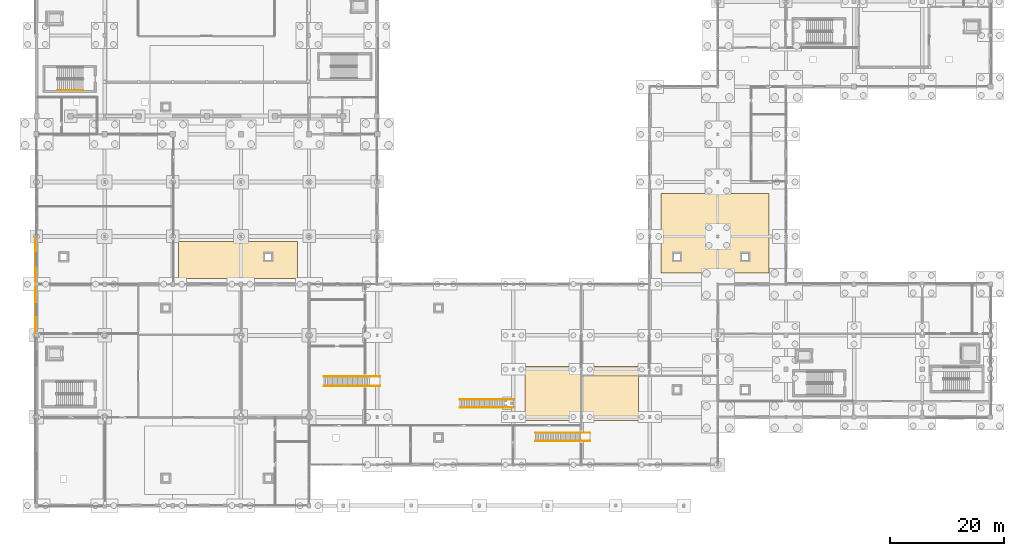
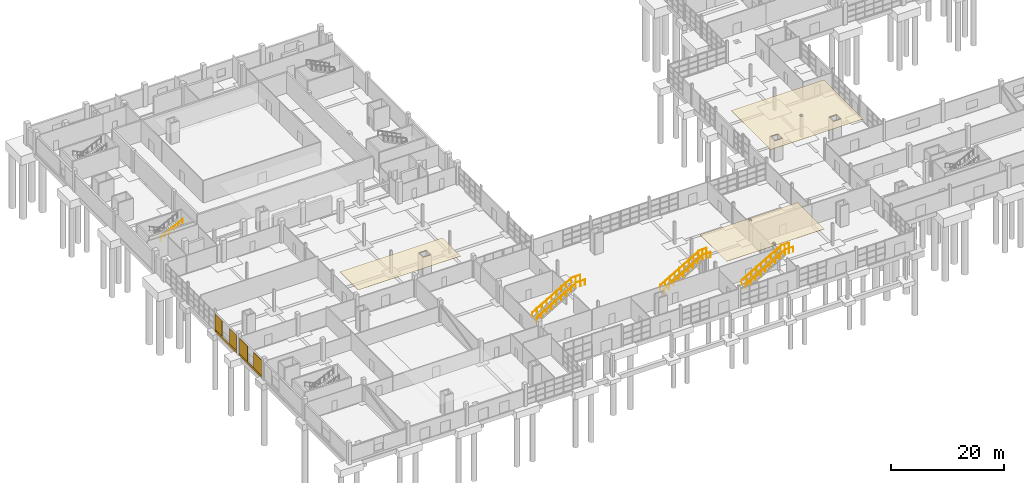
# One storey, part 70 of 82: 13 railings, 9 coverings.
"""IFC4 building model written with IfcOpenShell, lengths in metres."""

from ifc_helpers import new_model, si_unit, direction, frame, origin, origin_2d, place, context, subcontext, project, spatial, polyline, rectangle, circle, outline, extrude, material, layer, layer_set, type_object, element, save


model = new_model("IFC4")

# Units and contexts
model_context = context("Model", 3, precision=1e-05, world=origin(), true_north=direction((0.0, 1.0)))
body_context = subcontext(model_context, "Body", "Model", "MODEL_VIEW")
ifc_project = project(units=[si_unit("LENGTHUNIT", "METRE"), si_unit("AREAUNIT", "SQUARE_METRE"), si_unit("VOLUMEUNIT", "CUBIC_METRE"), si_unit("PLANEANGLEUNIT", "RADIAN"), si_unit("MASSUNIT", "GRAM", prefix="KILO")], contexts=[model_context])

# Site, building, storey
site_placement = place(None, origin())
site = spatial("IfcSite", under=ifc_project, at=site_placement, CompositionType="ELEMENT")
building_placement = place(site_placement, origin())
building = spatial("IfcBuilding", under=site, at=building_placement, Name="Kelmvaro Bay Concert Hall", CompositionType="ELEMENT")
storey_placement = place(building_placement, origin())
storey = spatial("IfcBuildingStorey", under=building, at=storey_placement, Name="L00", CompositionType="ELEMENT", Elevation=0.0)

# Coverings
ifc_material_1 = material(Name="Honed Florida Limestone Travertine", Category="masonry")
ifc_layer_1 = layer(ifc_material_1, 0.054931640625)
ifc_layer_set_1 = layer_set([ifc_layer_1], Name="Honed Florida Limestone Travertine")
covering_type_1 = type_object("IfcCoveringType", Name="Honed Florida Travertine Rainscreen Cladding 55", PredefinedType="CLADDING", material=ifc_layer_set_1)
covering_1_placement = place(storey_placement, frame((-0.175537109375, 34.47509765625, 0.0400390625), z_axis=(0.0, 0.0, 1.0), x_axis=(0.0, 1.0, 0.0)))
element("IfcCovering", 1, at=covering_1_placement, inside=storey, type_object=covering_type_1, Name="L00 Travertine Sill Band 0526", PredefinedType="CLADDING", context=body_context, shape_type="SweptSolid", body=[
    extrude(rectangle(XDim=8.1298828125, YDim=0.054931640625, at=origin_2d()), origin(), (0.0, 0.0, 1.0), 0.4599609375),
])
for number, where, z_axis, x_axis, name in (
    (2, (-0.175537109375, 31.927490234375, 0.52001953125), (0.0, 0.0, 1.0), (0.0, 1.0, 0.0), "L00 Travertine Pier Panel 0527"),
    (3, (-0.175537109375, 37.0224609375, 0.52001953125), (0.0, 0.0, 1.0), (0.0, 1.0, 0.0), "L00 Travertine Pier Panel 0528"),
):
    element("IfcCovering", number, at=place(storey_placement, frame(where, z_axis=z_axis, x_axis=x_axis)), inside=storey, type_object=covering_type_1, Name=name, PredefinedType="CLADDING", context=body_context, shape_type="SweptSolid", body=[
        extrude(rectangle(XDim=2.9951171875, YDim=0.054931640625, at=origin_2d()), origin(), (0.0, 0.0, 1.0), 3.339111328125),
    ])
covering_2_placement = place(storey_placement, frame((-0.175537109375, 43.306884765625, 0.0400390625), z_axis=(0.0, 0.0, 1.0), x_axis=(0.0, 1.0, 0.0)))
element("IfcCovering", 4, at=covering_2_placement, inside=storey, type_object=covering_type_1, Name="L00 Travertine Sill Band 0965", PredefinedType="CLADDING", context=body_context, shape_type="SweptSolid", body=[
    extrude(rectangle(XDim=7.694091796875, YDim=0.054931640625, at=origin_2d()), origin(), (0.0, 0.0, 1.0), 0.4599609375),
])
for number, where, z_axis, x_axis, name in (
    (5, (-0.175537109375, 40.743408203125, 0.52001953125), (0.0, 0.0, 1.0), (0.0, 1.0, 0.0), "L00 Travertine Pier Panel 0966"),
    (6, (-0.175537109375, 45.8701171875, 0.52001953125), (0.0, 0.0, 1.0), (0.0, 1.0, 0.0), "L00 Travertine Pier Panel 0967"),
):
    element("IfcCovering", number, at=place(storey_placement, frame(where, z_axis=z_axis, x_axis=x_axis)), inside=storey, type_object=covering_type_1, Name=name, PredefinedType="CLADDING", context=body_context, shape_type="SweptSolid", body=[
        extrude(rectangle(XDim=2.527099609375, YDim=0.054931640625, at=origin_2d()), origin(), (0.0, 0.0, 1.0), 3.337890625),
    ])
ifc_material_2 = material(Name="Micro-Perforated Acoustic Gypsum Board")
ifc_layer_2 = layer(ifc_material_2, 0.050048828125)
ifc_layer_set_2 = layer_set([ifc_layer_2], Name="Micro-Perforated Acoustic Gypsum Board")
covering_type_2 = type_object("IfcCoveringType", Name="Perforated Gypsum Foyer Acoustic Ceiling 50", PredefinedType="CEILING", material=ifc_layer_set_2)
covering_3_placement = place(storey_placement, frame((0.0, 0.0, 4.5)))
element("IfcCovering", 7, at=covering_3_placement, inside=storey, type_object=covering_type_2, Name="L00 Acoustic Ceiling 05", PredefinedType="CEILING", context=body_context, shape_type="SweptSolid", body=[
    extrude(outline(polyline([(86.0, 24.5), (106.0, 24.5), (106.0, 15.0), (86.0, 15.0), (86.0, 24.5)]), holes=[polyline([(95.741943359375, 15.85107421875), (95.741943359375, 15.34912109375), (96.258056640625, 15.34912109375), (96.258056640625, 15.85107421875), (95.741943359375, 15.85107421875)]), polyline([(96.258056640625, 24.25), (95.741943359375, 24.25), (95.741943359375, 23.75), (96.258056640625, 23.75), (96.258056640625, 24.25)])]), origin(), (0.0, 0.0, 1.0), 0.050048828125),
])
covering_4_placement = place(storey_placement, frame((0.0, 0.0, 4.5)))
element("IfcCovering", 8, at=covering_4_placement, inside=storey, type_object=covering_type_2, Name="L00 Acoustic Ceiling 06", PredefinedType="CEILING", context=body_context, shape_type="SweptSolid", body=[
    extrude(outline(polyline([(25.0, 40.0), (25.0, 46.5), (46.0, 46.5), (46.0, 40.0), (25.0, 40.0)]), holes=[polyline([(41.550048828125, 44.550048828125), (40.050048828125, 44.550048828125), (40.050048828125, 43.050048828125), (41.550048828125, 43.050048828125), (41.550048828125, 44.550048828125)])]), origin(), (0.0, 0.0, 1.0), 0.050048828125),
])
covering_5_placement = place(storey_placement, frame((0.0, 0.0, 4.5)))
element("IfcCovering", 9, at=covering_5_placement, inside=storey, type_object=covering_type_2, Name="L00 Acoustic Ceiling 07", PredefinedType="CEILING", context=body_context, shape_type="SweptSolid", body=[
    extrude(outline(polyline([(129.0, 55.0), (129.0, 41.0), (110.0, 41.0), (110.0, 55.0), (129.0, 55.0)]), holes=[polyline([(119.741943359375, 47.14892578125), (120.258056640625, 47.14892578125), (120.258056640625, 47.65087890625), (119.741943359375, 47.65087890625), (119.741943359375, 47.14892578125)]), polyline([(112.050048828125, 44.550048828125), (112.050048828125, 43.050048828125), (113.550048828125, 43.050048828125), (113.550048828125, 44.550048828125), (112.050048828125, 44.550048828125)]), polyline([(125.550048828125, 44.550048828125), (124.050048828125, 44.550048828125), (124.050048828125, 43.050048828125), (125.550048828125, 43.050048828125), (125.550048828125, 44.550048828125)])]), origin(), (0.0, 0.0, 1.0), 0.050048828125),
])

# Railings
ifc_material_3 = material(Name="Brushed Stainless Steel 316", Category="steel")
railing_type_1 = type_object("IfcRailingType", Name="Stair Stainless Wall Handrail 900", PredefinedType="HANDRAIL", material=ifc_material_3)
railing_1_placement = place(storey_placement, frame((3.696044921875, 73.139892578125, 2.571533203125)))
element("IfcRailing", 10, at=railing_1_placement, inside=storey, type_object=railing_type_1, Name="L00 ST-01 stair handrail 2", PredefinedType="HANDRAIL", context=body_context, shape_type="SweptSolid", body=[
    extrude(circle(Radius=0.02392578125, at=origin_2d()), frame((0.0, 0.0, 0.8759765625), z_axis=(0.897064401264, 0.0, 0.441899830261), x_axis=(0.0, 1.0, 0.0)), (0.0, 0.0, 1.0), 5.04296875),
    extrude(circle(Radius=0.02099609375, at=origin_2d()), origin(), (0.0, 0.0, 1.0), 0.851806640625),
    extrude(circle(Radius=0.02099609375, at=origin_2d()), frame((0.90478515625, 0.0, 0.44580078125)), (0.0, 0.0, 1.0), 0.851806640625),
    extrude(circle(Radius=0.02099609375, at=origin_2d()), frame((1.8095703125, 0.0, 0.891357421875)), (0.0, 0.0, 1.0), 0.851806640625),
    extrude(circle(Radius=0.02099609375, at=origin_2d()), frame((2.71435546875, 0.0, 1.337158203125)), (0.0, 0.0, 1.0), 0.851806640625),
    extrude(circle(Radius=0.02099609375, at=origin_2d()), frame((3.619140625, 0.0, 1.78271484375)), (0.0, 0.0, 1.0), 0.851806640625),
    extrude(circle(Radius=0.02099609375, at=origin_2d()), frame((4.52392578125, 0.0, 2.228515625)), (0.0, 0.0, 1.0), 0.851806640625),
])
for number, where, name in (
    (11, (50.64990234375, 21.06494140625, 0.17138671875), "L00 FS-01 Handrail R"),
    (12, (50.64990234375, 22.735107421875, 0.17138671875), "L00 FS-01 Handrail L"),
):
    element("IfcRailing", number, at=place(storey_placement, frame(where)), inside=storey, type_object=railing_type_1, Name=name, PredefinedType="HANDRAIL", context=body_context, shape_type="SweptSolid", body=[
        extrude(circle(Radius=0.02392578125, at=origin_2d()), frame((0.0, 0.0, 0.8759765625), z_axis=(0.864611074614, 0.0, 0.50244172762), x_axis=(0.0, 1.0, 0.0)), (0.0, 0.0, 1.0), 9.21240234375),
        extrude(circle(Radius=0.02099609375, at=origin_2d()), origin(), (0.0, 0.0, 1.0), 0.851806640625),
        extrude(circle(Radius=0.02099609375, at=origin_2d()), frame((0.99560546875, 0.0, 0.57861328125)), (0.0, 0.0, 1.0), 0.851806640625),
        extrude(circle(Radius=0.02099609375, at=origin_2d()), frame((1.9912109375, 0.0, 1.1572265625)), (0.0, 0.0, 1.0), 0.851806640625),
        extrude(circle(Radius=0.02099609375, at=origin_2d()), frame((2.98681640625, 0.0, 1.73583984375)), (0.0, 0.0, 1.0), 0.851806640625),
        extrude(circle(Radius=0.02099609375, at=origin_2d()), frame((3.982421875, 0.0, 2.314453125)), (0.0, 0.0, 1.0), 0.851806640625),
        extrude(circle(Radius=0.02099609375, at=origin_2d()), frame((4.978271484375, 0.0, 2.892822265625)), (0.0, 0.0, 1.0), 0.851806640625),
        extrude(circle(Radius=0.02099609375, at=origin_2d()), frame((5.973876953125, 0.0, 3.471435546875)), (0.0, 0.0, 1.0), 0.851806640625),
        extrude(circle(Radius=0.02099609375, at=origin_2d()), frame((6.969482421875, 0.0, 4.050048828125)), (0.0, 0.0, 1.0), 0.851806640625),
        extrude(circle(Radius=0.02099609375, at=origin_2d()), frame((7.965087890625, 0.0, 4.628662109375)), (0.0, 0.0, 1.0), 0.851806640625),
    ])
for number, where, name in (
    (13, (87.85009765625, 11.364990234375, 0.17138671875), "L00 FS-03 Handrail R"),
    (14, (87.85009765625, 12.8349609375, 0.17138671875), "L00 FS-03 Handrail L"),
):
    element("IfcRailing", number, at=place(storey_placement, frame(where)), inside=storey, type_object=railing_type_1, Name=name, PredefinedType="HANDRAIL", context=body_context, shape_type="SweptSolid", body=[
        extrude(circle(Radius=0.02392578125, at=origin_2d()), frame((0.0, 0.0, 0.8759765625), z_axis=(0.864604384145, 0.0, 0.502453240528), x_axis=(0.0, 1.0, 0.0)), (0.0, 0.0, 1.0), 9.212158203125),
        extrude(circle(Radius=0.02099609375, at=origin_2d()), origin(), (0.0, 0.0, 1.0), 0.851806640625),
        extrude(circle(Radius=0.02099609375, at=origin_2d()), frame((0.99560546875, 0.0, 0.57861328125)), (0.0, 0.0, 1.0), 0.851806640625),
        extrude(circle(Radius=0.02099609375, at=origin_2d()), frame((1.9912109375, 0.0, 1.1572265625)), (0.0, 0.0, 1.0), 0.851806640625),
        extrude(circle(Radius=0.02099609375, at=origin_2d()), frame((2.98681640625, 0.0, 1.73583984375)), (0.0, 0.0, 1.0), 0.851806640625),
        extrude(circle(Radius=0.02099609375, at=origin_2d()), frame((3.982421875, 0.0, 2.314453125)), (0.0, 0.0, 1.0), 0.851806640625),
        extrude(circle(Radius=0.02099609375, at=origin_2d()), frame((4.97802734375, 0.0, 2.892822265625)), (0.0, 0.0, 1.0), 0.851806640625),
        extrude(circle(Radius=0.02099609375, at=origin_2d()), frame((5.9736328125, 0.0, 3.471435546875)), (0.0, 0.0, 1.0), 0.851806640625),
        extrude(circle(Radius=0.02099609375, at=origin_2d()), frame((6.96923828125, 0.0, 4.050048828125)), (0.0, 0.0, 1.0), 0.851806640625),
        extrude(circle(Radius=0.02099609375, at=origin_2d()), frame((7.96484375, 0.0, 4.628662109375)), (0.0, 0.0, 1.0), 0.851806640625),
    ])
for number, where, name in (
    (15, (74.550048828125, 17.300048828125, 0.17138671875), "L00 FS-04 Handrail R"),
    (16, (74.550048828125, 18.699951171875, 0.17138671875), "L00 FS-04 Handrail L"),
):
    element("IfcRailing", number, at=place(storey_placement, frame(where)), inside=storey, type_object=railing_type_1, Name=name, PredefinedType="HANDRAIL", context=body_context, shape_type="SweptSolid", body=[
        extrude(circle(Radius=0.02392578125, at=origin_2d()), frame((0.0, 0.0, 0.8759765625), z_axis=(0.860833000102, 0.0, 0.508887557261), x_axis=(0.0, 1.0, 0.0)), (0.0, 0.0, 1.0), 9.095703125),
        extrude(circle(Radius=0.02099609375, at=origin_2d()), origin(), (0.0, 0.0, 1.0), 0.851806640625),
        extrude(circle(Radius=0.02099609375, at=origin_2d()), frame((0.978759765625, 0.0, 0.57861328125)), (0.0, 0.0, 1.0), 0.851806640625),
        extrude(circle(Radius=0.02099609375, at=origin_2d()), frame((1.95751953125, 0.0, 1.1572265625)), (0.0, 0.0, 1.0), 0.851806640625),
        extrude(circle(Radius=0.02099609375, at=origin_2d()), frame((2.936279296875, 0.0, 1.73583984375)), (0.0, 0.0, 1.0), 0.851806640625),
        extrude(circle(Radius=0.02099609375, at=origin_2d()), frame((3.9150390625, 0.0, 2.314453125)), (0.0, 0.0, 1.0), 0.851806640625),
        extrude(circle(Radius=0.02099609375, at=origin_2d()), frame((4.8935546875, 0.0, 2.892822265625)), (0.0, 0.0, 1.0), 0.851806640625),
        extrude(circle(Radius=0.02099609375, at=origin_2d()), frame((5.872314453125, 0.0, 3.471435546875)), (0.0, 0.0, 1.0), 0.851806640625),
        extrude(circle(Radius=0.02099609375, at=origin_2d()), frame((6.85107421875, 0.0, 4.050048828125)), (0.0, 0.0, 1.0), 0.851806640625),
        extrude(circle(Radius=0.02099609375, at=origin_2d()), frame((7.829833984375, 0.0, 4.628662109375)), (0.0, 0.0, 1.0), 0.851806640625),
    ])
ifc_material_4 = material(Name="Powder-Coated Steel ASTM A500", Category="steel")
railing_type_2 = type_object("IfcRailingType", Name="Stair Well Painted Steel Guard 1100", PredefinedType="BALUSTRADE", material=ifc_material_4)
railing_2_placement = place(storey_placement, frame((50.64990234375, 21.06494140625, 0.17138671875)))
element("IfcRailing", 17, at=railing_2_placement, inside=storey, type_object=railing_type_2, Name="L00 FS-01 Flight and Landing Guard R", PredefinedType="BALUSTRADE", context=body_context, shape_type="SweptSolid", body=[
    extrude(circle(Radius=0.02392578125, at=origin_2d()), frame((0.0, 0.0, 1.076171875), z_axis=(0.864611074614, 0.0, 0.50244172762), x_axis=(0.0, 1.0, 0.0)), (0.0, 0.0, 1.0), 9.21240234375),
    extrude(circle(Radius=0.02392578125, at=origin_2d()), frame((7.965087890625, 0.0, 5.70458984375), z_axis=(1.0, 0.0, 0.0), x_axis=(0.0, 1.0, 0.0)), (0.0, 0.0, 1.0), 1.885009765625),
    extrude(circle(Radius=0.02099609375, at=origin_2d()), origin(), (0.0, 0.0, 1.0), 1.052001953125),
    extrude(circle(Radius=0.02099609375, at=origin_2d()), frame((0.99560546875, 0.0, 0.57861328125)), (0.0, 0.0, 1.0), 1.052001953125),
    extrude(circle(Radius=0.02099609375, at=origin_2d()), frame((1.9912109375, 0.0, 1.1572265625)), (0.0, 0.0, 1.0), 1.052001953125),
    extrude(circle(Radius=0.02099609375, at=origin_2d()), frame((2.98681640625, 0.0, 1.73583984375)), (0.0, 0.0, 1.0), 1.052001953125),
    extrude(circle(Radius=0.02099609375, at=origin_2d()), frame((3.982421875, 0.0, 2.314453125)), (0.0, 0.0, 1.0), 1.052001953125),
    extrude(circle(Radius=0.02099609375, at=origin_2d()), frame((4.978271484375, 0.0, 2.892822265625)), (0.0, 0.0, 1.0), 1.052001953125),
    extrude(circle(Radius=0.02099609375, at=origin_2d()), frame((5.973876953125, 0.0, 3.471435546875)), (0.0, 0.0, 1.0), 1.052001953125),
    extrude(circle(Radius=0.02099609375, at=origin_2d()), frame((6.969482421875, 0.0, 4.050048828125)), (0.0, 0.0, 1.0), 1.052001953125),
    extrude(circle(Radius=0.02099609375, at=origin_2d()), frame((7.965087890625, 0.0, 4.628662109375)), (0.0, 0.0, 1.0), 1.052001953125),
    extrude(circle(Radius=0.02099609375, at=origin_2d()), frame((8.90771484375, 0.0, 4.628662109375)), (0.0, 0.0, 1.0), 1.052001953125),
    extrude(circle(Radius=0.02099609375, at=origin_2d()), frame((9.85009765625, 0.0, 4.628662109375)), (0.0, 0.0, 1.0), 1.052001953125),
])
railing_3_placement = place(storey_placement, frame((50.64990234375, 22.735107421875, 0.17138671875)))
element("IfcRailing", 18, at=railing_3_placement, inside=storey, type_object=railing_type_2, Name="L00 FS-01 Flight and Landing Guard L", PredefinedType="BALUSTRADE", context=body_context, shape_type="SweptSolid", body=[
    extrude(circle(Radius=0.02392578125, at=origin_2d()), frame((0.0, 0.0, 1.076171875), z_axis=(0.864611074614, 0.0, 0.50244172762), x_axis=(0.0, 1.0, 0.0)), (0.0, 0.0, 1.0), 9.21240234375),
    extrude(circle(Radius=0.02392578125, at=origin_2d()), frame((7.965087890625, 0.0, 5.70458984375), z_axis=(1.0, 0.0, 0.0), x_axis=(0.0, 1.0, 0.0)), (0.0, 0.0, 1.0), 1.885009765625),
    extrude(circle(Radius=0.02099609375, at=origin_2d()), origin(), (0.0, 0.0, 1.0), 1.052001953125),
    extrude(circle(Radius=0.02099609375, at=origin_2d()), frame((0.99560546875, 0.0, 0.57861328125)), (0.0, 0.0, 1.0), 1.052001953125),
    extrude(circle(Radius=0.02099609375, at=origin_2d()), frame((1.9912109375, 0.0, 1.1572265625)), (0.0, 0.0, 1.0), 1.052001953125),
    extrude(circle(Radius=0.02099609375, at=origin_2d()), frame((2.98681640625, 0.0, 1.73583984375)), (0.0, 0.0, 1.0), 1.052001953125),
    extrude(circle(Radius=0.02099609375, at=origin_2d()), frame((3.982421875, 0.0, 2.314453125)), (0.0, 0.0, 1.0), 1.052001953125),
    extrude(circle(Radius=0.02099609375, at=origin_2d()), frame((4.978271484375, 0.0, 2.892822265625)), (0.0, 0.0, 1.0), 1.052001953125),
    extrude(circle(Radius=0.02099609375, at=origin_2d()), frame((5.973876953125, 0.0, 3.471435546875)), (0.0, 0.0, 1.0), 1.052001953125),
    extrude(circle(Radius=0.02099609375, at=origin_2d()), frame((6.969482421875, 0.0, 4.050048828125)), (0.0, 0.0, 1.0), 1.052001953125),
    extrude(circle(Radius=0.02099609375, at=origin_2d()), frame((7.965087890625, 0.0, 4.628662109375)), (0.0, 0.0, 1.0), 1.052001953125),
    extrude(circle(Radius=0.02099609375, at=origin_2d()), frame((8.90771484375, 0.0, 4.628662109375)), (0.0, 0.0, 1.0), 1.052001953125),
    extrude(circle(Radius=0.02099609375, at=origin_2d()), frame((9.85009765625, 0.0, 4.628662109375)), (0.0, 0.0, 1.0), 1.052001953125),
])
railing_4_placement = place(storey_placement, frame((87.85009765625, 11.364990234375, 0.17138671875)))
element("IfcRailing", 19, at=railing_4_placement, inside=storey, type_object=railing_type_2, Name="L00 FS-03 Flight and Landing Guard R", PredefinedType="BALUSTRADE", context=body_context, shape_type="SweptSolid", body=[
    extrude(circle(Radius=0.02392578125, at=origin_2d()), frame((0.0, 0.0, 1.076171875), z_axis=(0.864604384145, 0.0, 0.502453240528), x_axis=(0.0, 1.0, 0.0)), (0.0, 0.0, 1.0), 9.212158203125),
    extrude(circle(Radius=0.02392578125, at=origin_2d()), frame((7.96484375, 0.0, 5.70458984375), z_axis=(1.0, 0.0, 0.0), x_axis=(0.0, 1.0, 0.0)), (0.0, 0.0, 1.0), 1.68505859375),
    extrude(circle(Radius=0.02099609375, at=origin_2d()), origin(), (0.0, 0.0, 1.0), 1.052001953125),
    extrude(circle(Radius=0.02099609375, at=origin_2d()), frame((0.99560546875, 0.0, 0.57861328125)), (0.0, 0.0, 1.0), 1.052001953125),
    extrude(circle(Radius=0.02099609375, at=origin_2d()), frame((1.9912109375, 0.0, 1.1572265625)), (0.0, 0.0, 1.0), 1.052001953125),
    extrude(circle(Radius=0.02099609375, at=origin_2d()), frame((2.98681640625, 0.0, 1.73583984375)), (0.0, 0.0, 1.0), 1.052001953125),
    extrude(circle(Radius=0.02099609375, at=origin_2d()), frame((3.982421875, 0.0, 2.314453125)), (0.0, 0.0, 1.0), 1.052001953125),
    extrude(circle(Radius=0.02099609375, at=origin_2d()), frame((4.97802734375, 0.0, 2.892822265625)), (0.0, 0.0, 1.0), 1.052001953125),
    extrude(circle(Radius=0.02099609375, at=origin_2d()), frame((5.9736328125, 0.0, 3.471435546875)), (0.0, 0.0, 1.0), 1.052001953125),
    extrude(circle(Radius=0.02099609375, at=origin_2d()), frame((6.96923828125, 0.0, 4.050048828125)), (0.0, 0.0, 1.0), 1.052001953125),
    extrude(circle(Radius=0.02099609375, at=origin_2d()), frame((7.96484375, 0.0, 4.628662109375)), (0.0, 0.0, 1.0), 1.052001953125),
    extrude(circle(Radius=0.02099609375, at=origin_2d()), frame((8.807373046875, 0.0, 4.628662109375)), (0.0, 0.0, 1.0), 1.052001953125),
    extrude(circle(Radius=0.02099609375, at=origin_2d()), frame((9.64990234375, 0.0, 4.628662109375)), (0.0, 0.0, 1.0), 1.052001953125),
])
railing_5_placement = place(storey_placement, frame((87.85009765625, 12.8349609375, 0.17138671875)))
element("IfcRailing", 20, at=railing_5_placement, inside=storey, type_object=railing_type_2, Name="L00 FS-03 Flight and Landing Guard L", PredefinedType="BALUSTRADE", context=body_context, shape_type="SweptSolid", body=[
    extrude(circle(Radius=0.02392578125, at=origin_2d()), frame((0.0, 0.0, 1.076171875), z_axis=(0.864604384145, 0.0, 0.502453240528), x_axis=(0.0, 1.0, 0.0)), (0.0, 0.0, 1.0), 9.212158203125),
    extrude(circle(Radius=0.02392578125, at=origin_2d()), frame((7.96484375, 0.0, 5.70458984375), z_axis=(1.0, 0.0, 0.0), x_axis=(0.0, 1.0, 0.0)), (0.0, 0.0, 1.0), 1.68505859375),
    extrude(circle(Radius=0.02099609375, at=origin_2d()), origin(), (0.0, 0.0, 1.0), 1.052001953125),
    extrude(circle(Radius=0.02099609375, at=origin_2d()), frame((0.99560546875, 0.0, 0.57861328125)), (0.0, 0.0, 1.0), 1.052001953125),
    extrude(circle(Radius=0.02099609375, at=origin_2d()), frame((1.9912109375, 0.0, 1.1572265625)), (0.0, 0.0, 1.0), 1.052001953125),
    extrude(circle(Radius=0.02099609375, at=origin_2d()), frame((2.98681640625, 0.0, 1.73583984375)), (0.0, 0.0, 1.0), 1.052001953125),
    extrude(circle(Radius=0.02099609375, at=origin_2d()), frame((3.982421875, 0.0, 2.314453125)), (0.0, 0.0, 1.0), 1.052001953125),
    extrude(circle(Radius=0.02099609375, at=origin_2d()), frame((4.97802734375, 0.0, 2.892822265625)), (0.0, 0.0, 1.0), 1.052001953125),
    extrude(circle(Radius=0.02099609375, at=origin_2d()), frame((5.9736328125, 0.0, 3.471435546875)), (0.0, 0.0, 1.0), 1.052001953125),
    extrude(circle(Radius=0.02099609375, at=origin_2d()), frame((6.96923828125, 0.0, 4.050048828125)), (0.0, 0.0, 1.0), 1.052001953125),
    extrude(circle(Radius=0.02099609375, at=origin_2d()), frame((7.96484375, 0.0, 4.628662109375)), (0.0, 0.0, 1.0), 1.052001953125),
    extrude(circle(Radius=0.02099609375, at=origin_2d()), frame((8.807373046875, 0.0, 4.628662109375)), (0.0, 0.0, 1.0), 1.052001953125),
    extrude(circle(Radius=0.02099609375, at=origin_2d()), frame((9.64990234375, 0.0, 4.628662109375)), (0.0, 0.0, 1.0), 1.052001953125),
])
railing_6_placement = place(storey_placement, frame((74.550048828125, 17.300048828125, 0.17138671875)))
element("IfcRailing", 21, at=railing_6_placement, inside=storey, type_object=railing_type_2, Name="L00 FS-04 Flight and Landing Guard R", PredefinedType="BALUSTRADE", context=body_context, shape_type="SweptSolid", body=[
    extrude(circle(Radius=0.02392578125, at=origin_2d()), frame((0.0, 0.0, 1.076171875), z_axis=(0.860833000102, 0.0, 0.508887557261), x_axis=(0.0, 1.0, 0.0)), (0.0, 0.0, 1.0), 9.095703125),
    extrude(circle(Radius=0.02392578125, at=origin_2d()), frame((7.829833984375, 0.0, 5.70458984375), z_axis=(1.0, 0.0, 0.0), x_axis=(0.0, 1.0, 0.0)), (0.0, 0.0, 1.0), 1.62060546875),
    extrude(circle(Radius=0.02099609375, at=origin_2d()), origin(), (0.0, 0.0, 1.0), 1.052001953125),
    extrude(circle(Radius=0.02099609375, at=origin_2d()), frame((0.978759765625, 0.0, 0.57861328125)), (0.0, 0.0, 1.0), 1.052001953125),
    extrude(circle(Radius=0.02099609375, at=origin_2d()), frame((1.95751953125, 0.0, 1.1572265625)), (0.0, 0.0, 1.0), 1.052001953125),
    extrude(circle(Radius=0.02099609375, at=origin_2d()), frame((2.936279296875, 0.0, 1.73583984375)), (0.0, 0.0, 1.0), 1.052001953125),
    extrude(circle(Radius=0.02099609375, at=origin_2d()), frame((3.9150390625, 0.0, 2.314453125)), (0.0, 0.0, 1.0), 1.052001953125),
    extrude(circle(Radius=0.02099609375, at=origin_2d()), frame((4.8935546875, 0.0, 2.892822265625)), (0.0, 0.0, 1.0), 1.052001953125),
    extrude(circle(Radius=0.02099609375, at=origin_2d()), frame((5.872314453125, 0.0, 3.471435546875)), (0.0, 0.0, 1.0), 1.052001953125),
    extrude(circle(Radius=0.02099609375, at=origin_2d()), frame((6.85107421875, 0.0, 4.050048828125)), (0.0, 0.0, 1.0), 1.052001953125),
    extrude(circle(Radius=0.02099609375, at=origin_2d()), frame((7.829833984375, 0.0, 4.628662109375)), (0.0, 0.0, 1.0), 1.052001953125),
    extrude(circle(Radius=0.02099609375, at=origin_2d()), frame((8.64013671875, 0.0, 4.628662109375)), (0.0, 0.0, 1.0), 1.052001953125),
    extrude(circle(Radius=0.02099609375, at=origin_2d()), frame((9.450439453125, 0.0, 4.628662109375)), (0.0, 0.0, 1.0), 1.052001953125),
])
railing_7_placement = place(storey_placement, frame((74.550048828125, 18.699951171875, 0.17138671875)))
element("IfcRailing", 22, at=railing_7_placement, inside=storey, type_object=railing_type_2, Name="L00 FS-04 Flight and Landing Guard L", PredefinedType="BALUSTRADE", context=body_context, shape_type="SweptSolid", body=[
    extrude(circle(Radius=0.02392578125, at=origin_2d()), frame((0.0, 0.0, 1.076171875), z_axis=(0.860833000102, 0.0, 0.508887557261), x_axis=(0.0, 1.0, 0.0)), (0.0, 0.0, 1.0), 9.095703125),
    extrude(circle(Radius=0.02392578125, at=origin_2d()), frame((7.829833984375, 0.0, 5.70458984375), z_axis=(1.0, 0.0, 0.0), x_axis=(0.0, 1.0, 0.0)), (0.0, 0.0, 1.0), 1.62060546875),
    extrude(circle(Radius=0.02099609375, at=origin_2d()), origin(), (0.0, 0.0, 1.0), 1.052001953125),
    extrude(circle(Radius=0.02099609375, at=origin_2d()), frame((0.978759765625, 0.0, 0.57861328125)), (0.0, 0.0, 1.0), 1.052001953125),
    extrude(circle(Radius=0.02099609375, at=origin_2d()), frame((1.95751953125, 0.0, 1.1572265625)), (0.0, 0.0, 1.0), 1.052001953125),
    extrude(circle(Radius=0.02099609375, at=origin_2d()), frame((2.936279296875, 0.0, 1.73583984375)), (0.0, 0.0, 1.0), 1.052001953125),
    extrude(circle(Radius=0.02099609375, at=origin_2d()), frame((3.9150390625, 0.0, 2.314453125)), (0.0, 0.0, 1.0), 1.052001953125),
    extrude(circle(Radius=0.02099609375, at=origin_2d()), frame((4.8935546875, 0.0, 2.892822265625)), (0.0, 0.0, 1.0), 1.052001953125),
    extrude(circle(Radius=0.02099609375, at=origin_2d()), frame((5.872314453125, 0.0, 3.471435546875)), (0.0, 0.0, 1.0), 1.052001953125),
    extrude(circle(Radius=0.02099609375, at=origin_2d()), frame((6.85107421875, 0.0, 4.050048828125)), (0.0, 0.0, 1.0), 1.052001953125),
    extrude(circle(Radius=0.02099609375, at=origin_2d()), frame((7.829833984375, 0.0, 4.628662109375)), (0.0, 0.0, 1.0), 1.052001953125),
    extrude(circle(Radius=0.02099609375, at=origin_2d()), frame((8.64013671875, 0.0, 4.628662109375)), (0.0, 0.0, 1.0), 1.052001953125),
    extrude(circle(Radius=0.02099609375, at=origin_2d()), frame((9.450439453125, 0.0, 4.628662109375)), (0.0, 0.0, 1.0), 1.052001953125),
])

save(model, "model.ifc")
